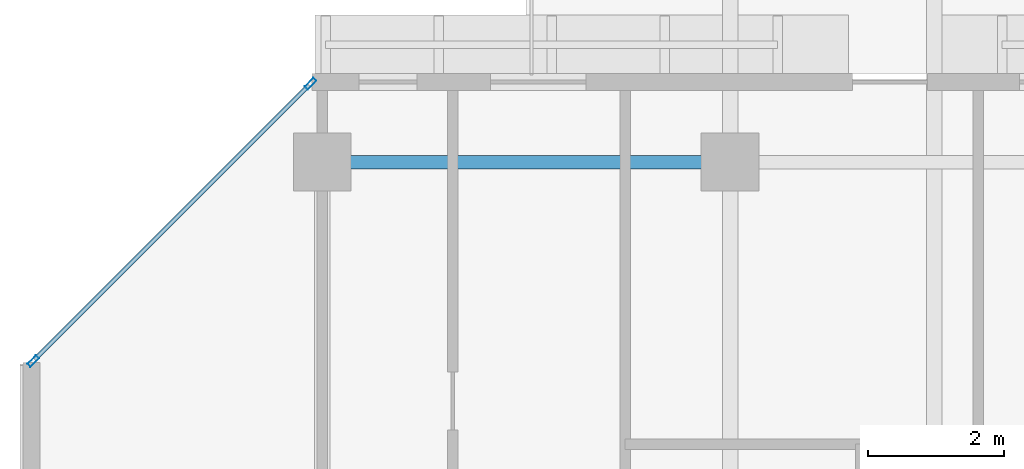
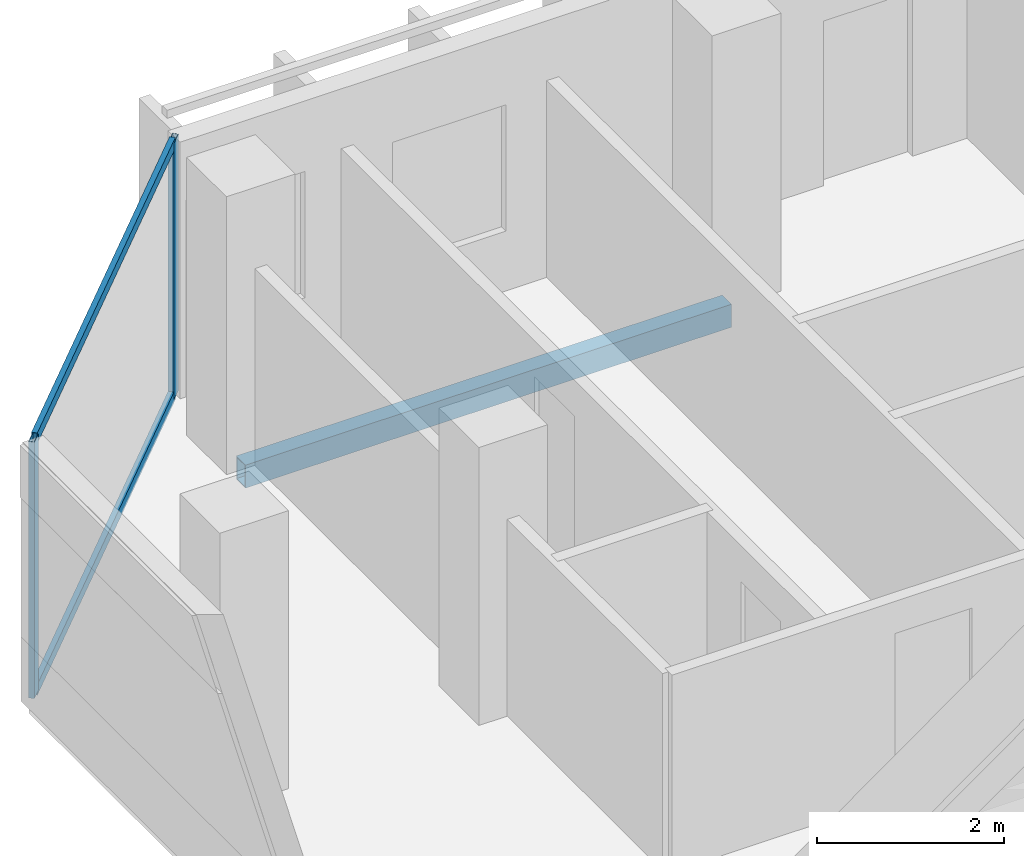
# One storey, part 8 of 31: 4 members, 1 beam, 1 element without a shape of its own.
"""IFC4 building model written with IfcOpenShell, lengths in metres."""

from ifc_helpers import new_model, si_unit, direction, frame, origin, origin_2d, place, context, subcontext, project, spatial, hollow_rectangle, extrude, material, layer, layer_set, material_profile, profile_set, type_object, element, aggregate, save


model = new_model("IFC4")

# Units and contexts
model_context = context("Model", 3, precision=1e-05, world=origin(), true_north=direction((0.0, 1.0)))
body_context = subcontext(model_context, "Body", "Model", "MODEL_VIEW")
ifc_project = project(units=[si_unit("LENGTHUNIT", "METRE"), si_unit("AREAUNIT", "SQUARE_METRE"), si_unit("VOLUMEUNIT", "CUBIC_METRE"), si_unit("PLANEANGLEUNIT", "RADIAN"), si_unit("MASSUNIT", "GRAM", prefix="KILO")], contexts=[model_context])

# Site, building, storey
site_placement = place(None, origin())
site = spatial("IfcSite", under=ifc_project, at=site_placement, CompositionType="ELEMENT")
building_placement = place(site_placement, origin())
building = spatial("IfcBuilding", under=site, at=building_placement, Name="Tanjung Sevakor Pilgrim Tower", CompositionType="ELEMENT")
storey_placement = place(building_placement, frame((0.0, 0.0, 169.2900390625)))
storey = spatial("IfcBuildingStorey", under=building, at=storey_placement, Name="L47", CompositionType="ELEMENT", Elevation=169.2900390625)

# Beam
ifc_material_1 = material(Name="Steel S355J2", Category="steel")
ifc_material_profile_1 = material_profile(ifc_material_1, hollow_rectangle(XDim=0.199951171875, YDim=0.300048828125, WallThickness=0.012451171875, at=origin_2d()))
ifc_profile_set_1 = profile_set([ifc_material_profile_1], Name="Steel S355J2")
beam_type = type_object("IfcBeamType", Name="BM-B-SP3-RHS_300x200x12.5", PredefinedType="SPANDREL", material=ifc_profile_set_1)
beam_placement = place(storey_placement, frame((24.0, 54.0, -0.3701171875), z_axis=(1.0, 0.0, 0.0), x_axis=(0.0, 1.0, 0.0)))
element("IfcBeam", 1, at=beam_placement, inside=storey, type_object=beam_type, Name="L47 Spandrel MAIN N-02", PredefinedType="SPANDREL", context=body_context, shape_type="SweptSolid", body=[
    extrude(hollow_rectangle(XDim=0.199951171875, YDim=0.300048828125, WallThickness=0.012451171875, at=origin_2d()), origin(), (0.0, 0.0, 1.0), 6.0),
])

# Curtain wall, members
ifc_material_2 = material(Name="Aluminium 6063-T6 and Low-E Glass", Category="aluminium")
ifc_layer = layer(ifc_material_2, 0.179931640625)
ifc_layer_set = layer_set([ifc_layer], Name="CW-SYS-CHAM")
curtain_wall_type = type_object("IfcCurtainWallType", Name="CW-SYS-CHAM", PredefinedType="NOTDEFINED", material=ifc_layer_set)
curtain_wall_placement = place(storey_placement, origin())
curtain_wall = element("IfcCurtainWall", 2, at=curtain_wall_placement, inside=storey, type_object=curtain_wall_type, Name="L47 Curtain Wall CW-CHM-L47-MAIN-13", PredefinedType="NOTDEFINED")
ifc_material_3 = material(Name="Aluminium 6063-T6", Category="aluminium")
ifc_material_profile_2 = material_profile(ifc_material_3, hollow_rectangle(XDim=0.06494140625, YDim=0.179931640625, WallThickness=0.00390625, at=origin_2d()))
ifc_profile_set_2 = profile_set([ifc_material_profile_2], Name="Aluminium 6063-T6")
member_type_1 = type_object("IfcMemberType", Name="TYPE-CWM-1", PredefinedType="MULLION", material=ifc_profile_set_2)
member_1_placement = place(storey_placement, frame((23.828857421875, 55.152099609375, 0.0), z_axis=(0.0, 0.0, 1.0), x_axis=(0.707106781187, -0.707106781187, 0.0)))
member_1 = element("IfcMember", 3, at=member_1_placement, type_object=member_type_1, Name="CW-CHM mullion 1", PredefinedType="MULLION", context=body_context, shape_type="SweptSolid", body=[
    extrude(hollow_rectangle(XDim=0.06494140625, YDim=0.179931640625, WallThickness=0.00390625, at=origin_2d()), origin(), (0.0, 0.0, 1.0), 3.349853515625),
])
member_2_placement = place(storey_placement, frame((19.748046875, 51.0712890625, 0.0), z_axis=(0.0, 0.0, 1.0), x_axis=(0.707106781187, -0.707106781187, 0.0)))
member_2 = element("IfcMember", 4, at=member_2_placement, type_object=member_type_1, Name="CW-CHM mullion 2", PredefinedType="MULLION", context=body_context, shape_type="SweptSolid", body=[
    extrude(hollow_rectangle(XDim=0.06494140625, YDim=0.179931640625, WallThickness=0.00390625, at=origin_2d()), origin(), (0.0, 0.0, 1.0), 3.349853515625),
])
ifc_material_4 = material(Name="Aluminium 6063-T6", Category="aluminium")
ifc_material_profile_3 = material_profile(ifc_material_4, hollow_rectangle(XDim=0.06494140625, YDim=0.139892578125, WallThickness=0.00390625, at=origin_2d()))
ifc_profile_set_3 = profile_set([ifc_material_profile_3], Name="Aluminium 6063-T6")
member_type_2 = type_object("IfcMemberType", Name="TYPE-CWT-1", PredefinedType="USERDEFINED", material=ifc_profile_set_3)
member_3_placement = place(storey_placement, frame((23.805908203125, 55.129150390625, 0.032470703125), z_axis=(-0.707106781187, -0.707106781187, 0.0), x_axis=(0.707106781187, -0.707106781187, 0.0)))
member_3 = element("IfcMember", 5, at=member_3_placement, type_object=member_type_2, Name="CW-CHM transom 1.1", ObjectType="TRANSOM", PredefinedType="USERDEFINED", context=body_context, shape_type="SweptSolid", body=[
    extrude(hollow_rectangle(XDim=0.06494140625, YDim=0.139892578125, WallThickness=0.00390625, at=origin_2d()), origin(), (0.0, 0.0, 1.0), 5.706298828125),
])
member_4_placement = place(storey_placement, frame((23.805908203125, 55.129150390625, 3.3173828125), z_axis=(-0.707106781187, -0.707106781187, 0.0), x_axis=(0.707106781187, -0.707106781187, 0.0)))
member_4 = element("IfcMember", 6, at=member_4_placement, type_object=member_type_2, Name="CW-CHM transom 1.2", ObjectType="TRANSOM", PredefinedType="USERDEFINED", context=body_context, shape_type="SweptSolid", body=[
    extrude(hollow_rectangle(XDim=0.06494140625, YDim=0.139892578125, WallThickness=0.00390625, at=origin_2d()), origin(), (0.0, 0.0, 1.0), 5.706298828125),
])
aggregate(curtain_wall, [member_1, member_2, member_3, member_4])

save(model, "model.ifc")
